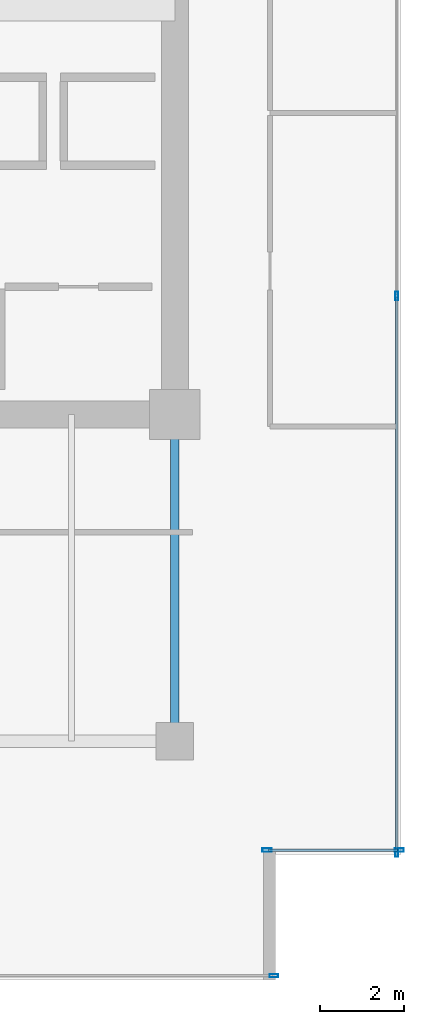
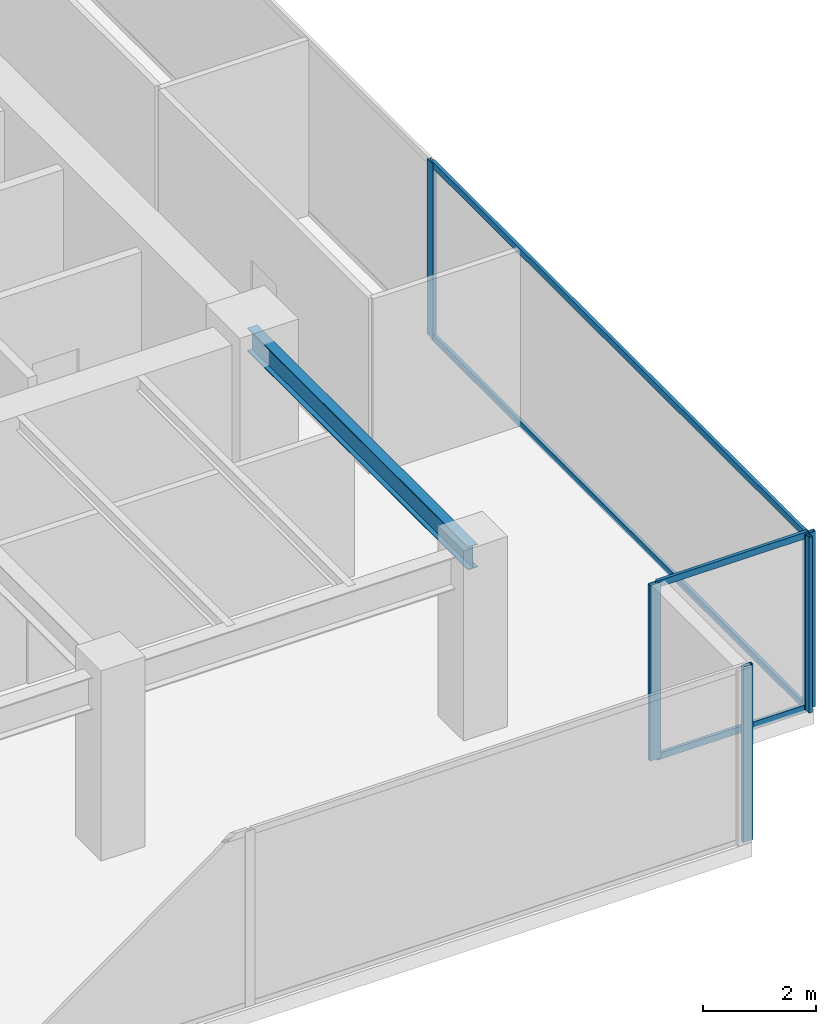
# One storey, part 21 of 31: 9 members, 1 beam, 3 elements without a shape of their own.
"""IFC4 building model written with IfcOpenShell, lengths in metres."""

import ifcopenshell
import ifcopenshell.guid

model = None  # the IFC model being written
_history = None  # IfcOwnerHistory: only IFC2X3 demands one
_inside = {}  # id of a spatial element -> (the spatial element, [elements in it])
_under = {}  # id of a project, library or spatial element -> (it, [spatial elements below it])
_declared = {}  # id of a project -> (the project, [libraries it declares])
_typed = {}  # id of a type object -> (the type object, [elements of that type])
_made_of = {}  # id of a material, layer set ... -> (it, [elements and type objects made of it])


def new_model(schema):
    """Start an empty IFC model of exactly this schema.

    Asked for "IFC4X3", IfcOpenShell would pick the latest addendum, in which some entities
    have other attributes; the version numbers below select the first issue.
    IFC2X3 requires an IfcOwnerHistory on every rooted entity: one is made here for all.
    """
    global model, _history
    if schema == "IFC4X3":
        model = ifcopenshell.file(schema_version=(4, 3, 0, 0))
    else:
        model = ifcopenshell.file(schema=schema)
    _inside.clear()
    _under.clear()
    _declared.clear()
    _typed.clear()
    _made_of.clear()
    _history = None
    if model.schema == "IFC2X3":
        org = make("IfcOrganization", Name="unknown")
        user = make(
            "IfcPersonAndOrganization",
            ThePerson=make("IfcPerson", FamilyName="unknown"),
            TheOrganization=org,
        )
        app = make(
            "IfcApplication",
            ApplicationDeveloper=org,
            Version="unknown",
            ApplicationFullName="unknown",
            ApplicationIdentifier="unknown",
        )
        _history = make(
            "IfcOwnerHistory",
            OwningUser=user,
            OwningApplication=app,
            ChangeAction="ADDED",
            CreationDate=0,
        )
    return model


def make(cls, **values):
    """One entity of the class cls with the attributes given. An attribute that is None is left unset."""
    return model.create_entity(
        cls, **{name: value for name, value in values.items() if value is not None}
    )


def rooted(cls, **values):
    """An entity with a GlobalId (a new one), such as an element, a storey or a relation."""
    return make(cls, GlobalId=ifcopenshell.guid.new(), OwnerHistory=_history, **values)


def si_unit(unit_type, name, prefix=None):
    """IfcSIUnit, for example si_unit("LENGTHUNIT", "METRE", prefix="MILLI")."""
    return make("IfcSIUnit", UnitType=unit_type, Prefix=prefix, Name=name)


def assignment(units):
    """IfcUnitAssignment: the units of a project."""
    return None if units is None else make("IfcUnitAssignment", Units=units)


def point(xyz):
    """IfcCartesianPoint."""
    return None if xyz is None else make("IfcCartesianPoint", Coordinates=xyz)


def direction(xyz):
    """IfcDirection."""
    return None if xyz is None else make("IfcDirection", DirectionRatios=xyz)


def frame(location, z_axis=None, x_axis=None):
    """IfcAxis2Placement3D, a coordinate frame: its origin and axes. An axis left out is left unset."""
    return make(
        "IfcAxis2Placement3D",
        Location=point(location),
        Axis=direction(z_axis),
        RefDirection=direction(x_axis),
    )


def frame_2d(location, x_axis=None):
    """IfcAxis2Placement2D, a coordinate frame in the plane: its origin and x axis."""
    return make(
        "IfcAxis2Placement2D", Location=point(location), RefDirection=direction(x_axis)
    )


def origin():
    """The frame at (0, 0, 0) with its axes left unset."""
    return frame((0.0, 0.0, 0.0))


def origin_2d():
    """The frame at (0, 0) in the plane with its x axis left unset."""
    return frame_2d((0.0, 0.0))


def place(relative_to, where):
    """IfcLocalPlacement: puts the frame where relative to a parent placement (None: the world)."""
    return make(
        "IfcLocalPlacement", PlacementRelTo=relative_to, RelativePlacement=where
    )


def context(
    kind, dimensions, precision=None, world=None, true_north=None, identifier=None
):
    """IfcGeometricRepresentationContext, for example the 3D "Model" context."""
    return make(
        "IfcGeometricRepresentationContext",
        ContextIdentifier=identifier,
        ContextType=kind,
        CoordinateSpaceDimension=dimensions,
        Precision=precision,
        WorldCoordinateSystem=world,
        TrueNorth=true_north,
    )


def subcontext(parent, identifier, kind, view, scale=None):
    """IfcGeometricRepresentationSubContext, for example "Body" below "Model"."""
    return make(
        "IfcGeometricRepresentationSubContext",
        ContextIdentifier=identifier,
        ContextType=kind,
        ParentContext=parent,
        TargetScale=scale,
        TargetView=view,
    )


def project(units=None, contexts=None):
    """IfcProject with its units and contexts."""
    return rooted(
        "IfcProject",
        Name="project",
        RepresentationContexts=contexts,
        UnitsInContext=assignment(units),
    )


def spatial(cls, under=None, at=None, **own):
    """A site, building, storey or space (cls), placed at a placement, below another one or the project."""
    s = rooted(cls, ObjectPlacement=at, **own)
    if under is not None:
        _under.setdefault(under.id(), (under, []))[1].append(s)
    return s


def profile(cls, at=None, kind="AREA", **sizes):
    """A parametric profile (cls). Its sizes go by their IFC names, for example OverallWidth=200.0."""
    return make(cls, ProfileType=kind, Position=at, **sizes)


def hollow_rectangle(**sizes):
    """IfcRectangleHollowProfileDef."""
    return profile("IfcRectangleHollowProfileDef", **sizes)


def i_section(**sizes):
    """IfcIShapeProfileDef."""
    return profile("IfcIShapeProfileDef", **sizes)


def extrude(swept, where, along, depth):
    """IfcExtrudedAreaSolid: the profile swept, set in the frame where, extruded along a direction by depth."""
    return make(
        "IfcExtrudedAreaSolid",
        SweptArea=swept,
        Position=where,
        ExtrudedDirection=direction(along),
        Depth=depth,
    )


def shape(context_of_items, identifier, shape_type, items):
    """IfcShapeRepresentation: the items that make up one representation, for example the "Body"."""
    return make(
        "IfcShapeRepresentation",
        ContextOfItems=context_of_items,
        RepresentationIdentifier=identifier,
        RepresentationType=shape_type,
        Items=items,
    )


def source(mapping_origin, context_of_items, identifier, shape_type, items):
    """IfcRepresentationMap: a shape defined once, which mapped items show again and again."""
    return make(
        "IfcRepresentationMap",
        MappingOrigin=mapping_origin,
        MappedRepresentation=shape(context_of_items, identifier, shape_type, items),
    )


def transform(
    local_origin,
    x_axis=None,
    y_axis=None,
    z_axis=None,
    scale=None,
    scale2=None,
    scale3=None,
    uniform=True,
):
    """IfcCartesianTransformationOperator3D, or its non-uniform kind. x_axis, y_axis, z_axis: its Axis1, 2, 3."""
    if uniform:
        return make(
            "IfcCartesianTransformationOperator3D",
            Axis1=direction(x_axis),
            Axis2=direction(y_axis),
            LocalOrigin=point(local_origin),
            Scale=scale,
            Axis3=direction(z_axis),
        )
    return make(
        "IfcCartesianTransformationOperator3DnonUniform",
        Axis1=direction(x_axis),
        Axis2=direction(y_axis),
        LocalOrigin=point(local_origin),
        Scale=scale,
        Axis3=direction(z_axis),
        Scale2=scale2,
        Scale3=scale3,
    )


def mapped(mapping_source, mapping_target):
    """IfcMappedItem: shows the shape of a source again, moved by a transform."""
    return make(
        "IfcMappedItem", MappingSource=mapping_source, MappingTarget=mapping_target
    )


def material(Name=None, Category=None):
    """IfcMaterial."""
    return make("IfcMaterial", Name=Name, Category=Category)


def layer(
    of_material, thickness, ventilated=None, Name=None, Category=None, Priority=None
):
    """IfcMaterialLayer: one layer of a wall or slab, of a material (None: an air gap)."""
    return make(
        "IfcMaterialLayer",
        Material=of_material,
        LayerThickness=thickness,
        IsVentilated=ventilated,
        Name=Name,
        Category=Category,
        Priority=Priority,
    )


def layer_set(layers, Name=None):
    """IfcMaterialLayerSet."""
    return make("IfcMaterialLayerSet", MaterialLayers=layers, LayerSetName=Name)


def material_profile(
    of_material, cross_section, Name=None, Category=None, Priority=None
):
    """IfcMaterialProfile: a cross section and its material."""
    return make(
        "IfcMaterialProfile",
        Name=Name,
        Material=of_material,
        Profile=cross_section,
        Priority=Priority,
        Category=Category,
    )


def profile_set(profiles, Name=None, composite=None):
    """IfcMaterialProfileSet."""
    return make(
        "IfcMaterialProfileSet",
        Name=Name,
        MaterialProfiles=profiles,
        CompositeProfile=composite,
    )


def made_of(thing, what):
    """Note that an element or type object is made of a material, layer set ...; save() writes the relation."""
    if what is not None:
        _made_of.setdefault(what.id(), (what, []))[1].append(thing)
    return thing


def type_object(cls, material=None, **own):
    """A type object (cls), such as IfcWallType, which elements share."""
    return made_of(rooted(cls, **own), material)


def type_shapes(of_type, sources):
    """Give a type object the sources (RepresentationMaps) that its elements show as mapped items."""
    of_type.RepresentationMaps = sources


def element(
    cls,
    number,
    at=None,
    inside=None,
    cuts=None,
    type_object=None,
    material=None,
    context=None,
    identifier="Body",
    shape_type=None,
    held_by="IfcProductDefinitionShape",
    body=None,
    shapes=None,
    **own,
):
    """One element of the class cls, such as IfcWall. Its Tag is "e" and its number.

    at: its placement. inside: the storey or other place that contains it. cuts: it is an
    opening in that element (IfcRelVoidsElement). A single representation is given by context,
    identifier, shape_type and body (its items); several are given by shapes. held_by: the class
    of the entity that holds the representations. save() writes the other relations.
    """
    e = rooted(cls, Tag="e%d" % number, ObjectPlacement=at, **own)
    if body is not None:
        shapes = [shape(context, identifier, shape_type, body)]
    if shapes is not None:
        e.Representation = make(held_by, Representations=shapes)
    if inside is not None:
        _inside.setdefault(inside.id(), (inside, []))[1].append(e)
    if cuts is not None:
        rooted(
            "IfcRelVoidsElement", RelatingBuildingElement=cuts, RelatedOpeningElement=e
        )
    if type_object is not None:
        _typed.setdefault(type_object.id(), (type_object, []))[1].append(e)
    return made_of(e, material)


def aggregate(whole, parts):
    """IfcRelAggregates: a whole, such as a stair, and the parts it consists of."""
    return rooted("IfcRelAggregates", RelatingObject=whole, RelatedObjects=parts)


def save(model, path):
    """Write the relations noted so far, then the file.

    IfcRelAggregates (storeys below a building ...), IfcRelContainedInSpatialStructure (elements
    in a storey), IfcRelDefinesByType, IfcRelAssociatesMaterial and IfcRelDeclares: one each for
    every whole, place, type object, material and project.
    """
    for whole, parts in _under.values():
        aggregate(whole, parts)
    for where, things in _inside.values():
        rooted(
            "IfcRelContainedInSpatialStructure",
            RelatedElements=things,
            RelatingStructure=where,
        )
    for kind, things in _typed.values():
        rooted("IfcRelDefinesByType", RelatedObjects=things, RelatingType=kind)
    for what, things in _made_of.values():
        rooted("IfcRelAssociatesMaterial", RelatedObjects=things, RelatingMaterial=what)
    for by, libraries in _declared.values():
        rooted("IfcRelDeclares", RelatingContext=by, RelatedDefinitions=libraries)
    model.write(path)


model = new_model("IFC4")

# Units and contexts
model_context = context("Model", 3, precision=1e-05, world=origin(), true_north=direction((0.0, 1.0)))
body_context = subcontext(model_context, "Body", "Model", "MODEL_VIEW")
ifc_project = project(units=[si_unit("LENGTHUNIT", "METRE"), si_unit("AREAUNIT", "SQUARE_METRE"), si_unit("VOLUMEUNIT", "CUBIC_METRE"), si_unit("PLANEANGLEUNIT", "RADIAN"), si_unit("MASSUNIT", "GRAM", prefix="KILO")], contexts=[model_context])

# Site, building, storey
site_placement = place(None, origin())
site = spatial("IfcSite", under=ifc_project, at=site_placement, CompositionType="ELEMENT")
building_placement = place(site_placement, origin())
building = spatial("IfcBuilding", under=site, at=building_placement, Name="Haelvirn Gate Laboratories", CompositionType="ELEMENT")
storey_placement = place(building_placement, frame((0.0, 0.0, 174.800048828125)))
storey = spatial("IfcBuildingStorey", under=building, at=storey_placement, Name="L42", CompositionType="ELEMENT", Elevation=174.800048828125)

# Beam
ifc_material_1 = material(Name="Steel SM355", Category="steel")
ifc_material_profile_1 = material_profile(ifc_material_1, i_section(OverallWidth=0.199951171875, OverallDepth=0.5, WebThickness=0.010009765625, FlangeThickness=0.01611328125, at=origin_2d()), Name="H-500x200x10x16")
ifc_profile_set_1 = profile_set([ifc_material_profile_1], Name="Steel SM355")
beam_type = type_object("IfcBeamType", Name="BM-SP-500", PredefinedType="SPANDREL", material=ifc_profile_set_1)
shared_shape_1 = source(origin(), body_context, "Body", "SweptSolid", [
    extrude(i_section(OverallWidth=0.199951171875, OverallDepth=0.5, WebThickness=0.010009765625, FlangeThickness=0.01611328125, at=origin_2d()), origin(), (0.0, 0.0, 1.0), 7.800048828125),
])
type_shapes(beam_type, [shared_shape_1])
beam_placement = place(storey_placement, frame((67.39990234375, 7.0, 3.5400390625), z_axis=(0.0, 1.0, 0.0), x_axis=(-1.0, 0.0, 0.0)))
element("IfcBeam", 1, at=beam_placement, inside=storey, type_object=beam_type, Name="L42 Perimeter Spandrel X67.4 (7.0-14.8)", PredefinedType="SPANDREL", context=body_context, shape_type="MappedRepresentation", body=[
    mapped(shared_shape_1, transform((0.0, 0.0, 0.0), scale=1.0)),
])

# Curtain wall, members
ifc_material_2 = material(Name="Anodised bronze unitised aluminium & triple low-E glass", Category="aluminium")
ifc_layer_1 = layer(ifc_material_2, 0.181884765625, Name="CW-SYS-5")
ifc_layer_set_1 = layer_set([ifc_layer_1], Name="Anodised bronze unitised aluminium & triple low-E glass")
curtain_wall_type_1 = type_object("IfcCurtainWallType", Name="CW-SYS-5", PredefinedType="NOTDEFINED", material=ifc_layer_set_1)
curtain_wall_1_placement = place(storey_placement, origin())
curtain_wall_1 = element("IfcCurtainWall", 2, at=curtain_wall_1_placement, inside=storey, type_object=curtain_wall_type_1, Name="L42 Unitised Curtain Wall CW-L42-P0-E06-1", PredefinedType="NOTDEFINED")
ifc_material_3 = material(Name="Extruded aluminium 6063-T6 (anodised bronze)", Category="aluminium")
ifc_material_profile_2 = material_profile(ifc_material_3, hollow_rectangle(XDim=0.06494140625, YDim=0.139892578125, WallThickness=0.00390625, at=origin_2d()), Name="CWT-140x65x4")
ifc_profile_set_2 = profile_set([ifc_material_profile_2], Name="Extruded aluminium 6063-T6 (anodised bronze)")
member_type_1 = type_object("IfcMemberType", Name="CWT-T140", PredefinedType="USERDEFINED", material=ifc_profile_set_2)
shared_shape_2 = source(origin(), body_context, "Body", "SweptSolid", [
    extrude(hollow_rectangle(XDim=0.06494140625, YDim=0.139892578125, WallThickness=0.00390625, at=origin_2d()), origin(), (0.0, 0.0, 1.0), 3.080078125),
])
member_1_placement = place(storey_placement, frame((69.639892578125, 4.39990234375, 0.032470703125), z_axis=(1.0, 0.0, 0.0), x_axis=(0.0, 1.0, 0.0)))
member_1 = element("IfcMember", 3, at=member_1_placement, type_object=member_type_1, Name="CW5 transom 1.1", ObjectType="TRANSOM", PredefinedType="USERDEFINED", context=body_context, shape_type="MappedRepresentation", body=[
    mapped(shared_shape_2, transform((0.0, 0.0, 0.0), scale=1.0)),
])
member_2_placement = place(storey_placement, frame((69.639892578125, 4.39990234375, 3.757568359375), z_axis=(1.0, 0.0, 0.0), x_axis=(0.0, 1.0, 0.0)))
member_2 = element("IfcMember", 4, at=member_2_placement, type_object=member_type_1, Name="CW5 transom 1.2", ObjectType="TRANSOM", PredefinedType="USERDEFINED", context=body_context, shape_type="MappedRepresentation", body=[
    mapped(shared_shape_2, transform((0.0, 0.0, 0.0), scale=1.0)),
])

ifc_layer_2 = layer(ifc_material_2, 0.179931640625, Name="CW-SYS-3")
ifc_layer_set_2 = layer_set([ifc_layer_2], Name="Anodised bronze unitised aluminium & triple low-E glass")
curtain_wall_type_2 = type_object("IfcCurtainWallType", Name="CW-SYS-3", PredefinedType="NOTDEFINED", material=ifc_layer_set_2)
curtain_wall_2_placement = place(storey_placement, origin())
curtain_wall_2 = element("IfcCurtainWall", 5, at=curtain_wall_2_placement, inside=storey, type_object=curtain_wall_type_2, Name="L42 Unitised Curtain Wall CW-L42-P0-E07", PredefinedType="NOTDEFINED")
shared_shape_3 = source(origin(), body_context, "Body", "SweptSolid", [
    extrude(hollow_rectangle(XDim=0.06494140625, YDim=0.139892578125, WallThickness=0.00390625, at=origin_2d()), origin(), (0.0, 0.0, 1.0), 13.220947265625),
])
type_shapes(member_type_1, [shared_shape_2, shared_shape_3])
member_3_placement = place(storey_placement, frame((72.699951171875, 4.375, 0.032470703125), z_axis=(0.0, 1.0, 0.0), x_axis=(-1.0, 0.0, 0.0)))
member_3 = element("IfcMember", 6, at=member_3_placement, type_object=member_type_1, Name="CW3 transom 1.1", ObjectType="TRANSOM", PredefinedType="USERDEFINED", context=body_context, shape_type="MappedRepresentation", body=[
    mapped(shared_shape_3, transform((0.0, 0.0, 0.0), scale=1.0)),
])
member_4_placement = place(storey_placement, frame((72.699951171875, 4.375, 3.757568359375), z_axis=(0.0, 1.0, 0.0), x_axis=(-1.0, 0.0, 0.0)))
member_4 = element("IfcMember", 7, at=member_4_placement, type_object=member_type_1, Name="CW3 transom 1.2", ObjectType="TRANSOM", PredefinedType="USERDEFINED", context=body_context, shape_type="MappedRepresentation", body=[
    mapped(shared_shape_3, transform((0.0, 0.0, 0.0), scale=1.0)),
])

# Curtain wall, member
curtain_wall_3_placement = place(storey_placement, origin())
curtain_wall_3 = element("IfcCurtainWall", 8, at=curtain_wall_3_placement, inside=storey, type_object=curtain_wall_type_2, Name="L42 Unitised Curtain Wall CW-L42-P0-E04-1", PredefinedType="NOTDEFINED")
ifc_material_profile_3 = material_profile(ifc_material_3, hollow_rectangle(XDim=0.074951171875, YDim=0.199951171875, WallThickness=0.0048828125, at=origin_2d()), Name="CWM-200x75x5")
ifc_profile_set_3 = profile_set([ifc_material_profile_3], Name="Extruded aluminium 6063-T6 (anodised bronze)")
member_type_2 = type_object("IfcMemberType", Name="CWM-T200", PredefinedType="MULLION", material=ifc_profile_set_3)
shared_shape_4 = source(origin(), body_context, "Body", "SweptSolid", [
    extrude(hollow_rectangle(XDim=0.074951171875, YDim=0.199951171875, WallThickness=0.0048828125, at=origin_2d()), origin(), (0.0, 0.0, 1.0), 3.7900390625),
])
type_shapes(member_type_2, [shared_shape_4])
member_5_placement = place(storey_placement, frame((69.762451171875, 1.39990234375, 0.0), z_axis=(0.0, 0.0, 1.0), x_axis=(0.0, 1.0, 0.0)))
member_5 = element("IfcMember", 9, at=member_5_placement, type_object=member_type_2, Name="CW3 mullion 3", PredefinedType="MULLION", context=body_context, shape_type="MappedRepresentation", body=[
    mapped(shared_shape_4, transform((0.0, 0.0, 0.0), scale=1.0)),
])
aggregate(curtain_wall_3, [member_5])

# Member
member_6_placement = place(storey_placement, frame((72.699951171875, 4.33740234375, 0.0), z_axis=(0.0, 0.0, 1.0), x_axis=(-1.0, 0.0, 0.0)))
member_6 = element("IfcMember", 10, at=member_6_placement, type_object=member_type_2, Name="CW3 mullion 1", PredefinedType="MULLION", context=body_context, shape_type="MappedRepresentation", body=[
    mapped(shared_shape_4, transform((0.0, 0.0, 0.0), scale=1.0)),
])

member_7_placement = place(storey_placement, frame((72.699951171875, 17.63330078125, 0.0), z_axis=(0.0, 0.0, 1.0), x_axis=(-1.0, 0.0, 0.0)))
member_7 = element("IfcMember", 11, at=member_7_placement, type_object=member_type_2, Name="CW3 mullion 2", PredefinedType="MULLION", context=body_context, shape_type="MappedRepresentation", body=[
    mapped(shared_shape_4, transform((0.0, 0.0, 0.0), scale=1.0)),
])

aggregate(curtain_wall_2, [member_6, member_7, member_3, member_4])

ifc_material_profile_4 = material_profile(ifc_material_3, hollow_rectangle(XDim=0.080078125, YDim=0.219970703125, WallThickness=0.006103515625, at=origin_2d()), Name="CWM-220x80x6")
ifc_profile_set_4 = profile_set([ifc_material_profile_4], Name="Extruded aluminium 6063-T6 (anodised bronze)")
member_type_3 = type_object("IfcMemberType", Name="CWM-T220", PredefinedType="MULLION", material=ifc_profile_set_4)
shared_shape_5 = source(origin(), body_context, "Body", "SweptSolid", [
    extrude(hollow_rectangle(XDim=0.080078125, YDim=0.219970703125, WallThickness=0.006103515625, at=origin_2d()), origin(), (0.0, 0.0, 1.0), 3.7900390625),
])
type_shapes(member_type_3, [shared_shape_5])
member_8_placement = place(storey_placement, frame((69.60009765625, 4.39990234375, 0.0), z_axis=(0.0, 0.0, 1.0), x_axis=(0.0, 1.0, 0.0)))
member_8 = element("IfcMember", 12, at=member_8_placement, type_object=member_type_3, Name="CW5 mullion 1", PredefinedType="MULLION", context=body_context, shape_type="MappedRepresentation", body=[
    mapped(shared_shape_5, transform((0.0, 0.0, 0.0), scale=1.0)),
])

member_9_placement = place(storey_placement, frame((72.760009765625, 4.39990234375, 0.0), z_axis=(0.0, 0.0, 1.0), x_axis=(0.0, 1.0, 0.0)))
member_9 = element("IfcMember", 13, at=member_9_placement, type_object=member_type_3, Name="CW5 mullion 2", PredefinedType="MULLION", context=body_context, shape_type="MappedRepresentation", body=[
    mapped(shared_shape_5, transform((0.0, 0.0, 0.0), scale=1.0)),
])

aggregate(curtain_wall_1, [member_8, member_9, member_1, member_2])

save(model, "model.ifc")
